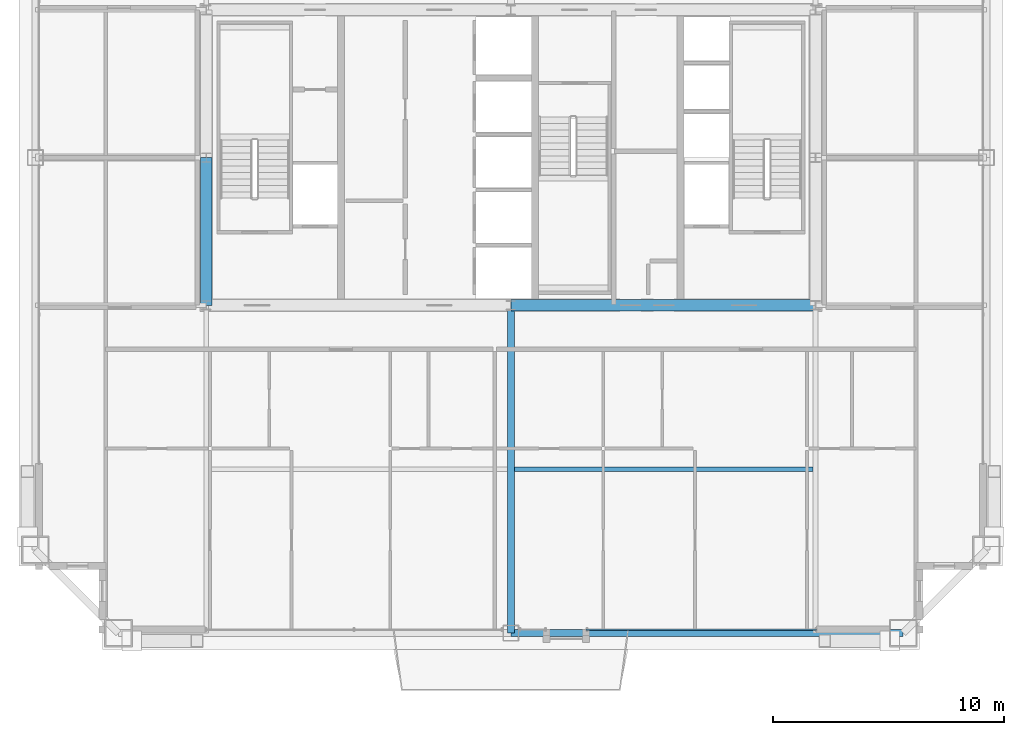
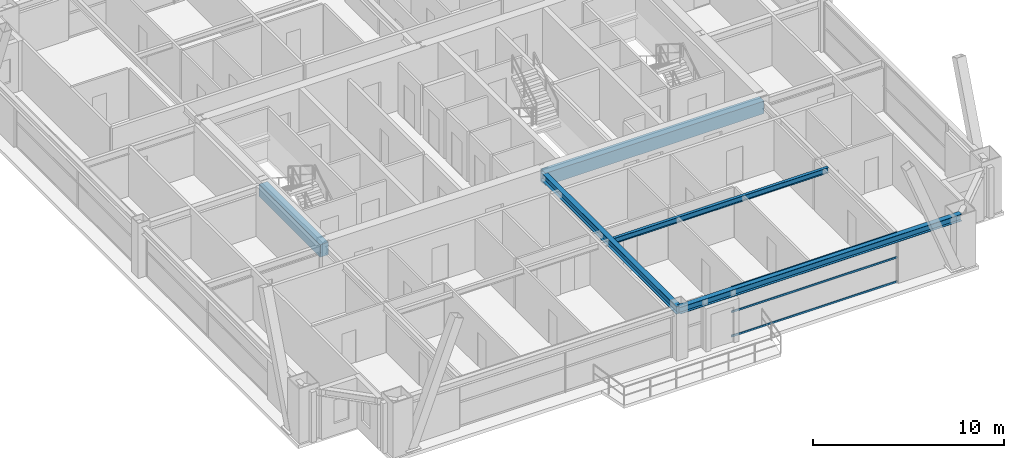
# One storey, part 11 of 36: 5 beams, 3 members, 1 element without a shape of its own.
"""IFC4 building model written with IfcOpenShell, lengths in metres."""

from ifc_helpers import new_model, si_unit, direction, frame, origin, origin_2d, place, context, subcontext, project, spatial, rectangle, hollow_rectangle, i_section, extrude, source, transform, mapped, material, layer, layer_set, material_profile, profile_set, type_object, element, aggregate, save


model = new_model("IFC4")

# Units and contexts
model_context = context("Model", 3, precision=1e-05, world=origin(), true_north=direction((0.0, 1.0)))
body_context = subcontext(model_context, "Body", "Model", "MODEL_VIEW")
ifc_project = project(units=[si_unit("LENGTHUNIT", "METRE"), si_unit("AREAUNIT", "SQUARE_METRE"), si_unit("VOLUMEUNIT", "CUBIC_METRE"), si_unit("PLANEANGLEUNIT", "RADIAN"), si_unit("MASSUNIT", "GRAM", prefix="KILO"), si_unit("THERMODYNAMICTEMPERATUREUNIT", "KELVIN"), si_unit("POWERUNIT", "WATT")], contexts=[model_context])

# Site, building, storey
site_placement = place(None, origin())
site = spatial("IfcSite", under=ifc_project, at=site_placement, CompositionType="ELEMENT")
building_placement = place(site_placement, origin())
building = spatial("IfcBuilding", under=site, at=building_placement, Name="Yuzanri Waterfront Tower", CompositionType="ELEMENT")
storey_placement = place(building_placement, frame((0.0, 0.0, 255.60009765625)))
storey = spatial("IfcBuildingStorey", under=building, at=storey_placement, Name="L68", CompositionType="ELEMENT", Elevation=255.60009765625)

# Beams
ifc_material_1 = material(Name="Concrete C50", Category="concrete")
ifc_material_profile_1 = material_profile(ifc_material_1, rectangle(XDim=0.5, YDim=0.800048828125, at=origin_2d()), Name="RC 500x800")
ifc_profile_set_1 = profile_set([ifc_material_profile_1], Name="Concrete C50")
beam_type_1 = type_object("IfcBeamType", Name="Core Coupling Lintel Concrete C50 500x800", PredefinedType="LINTEL", material=ifc_profile_set_1)
shared_shape_1 = source(origin(), body_context, "Body", "SweptSolid", [
    extrude(rectangle(XDim=0.5, YDim=0.800048828125, at=origin_2d()), origin(), (0.0, 0.0, 1.0), 13.199951171875),
])
beam_1_placement = place(storey_placement, frame((37.0, 19.39990234375, 2.7998046875), z_axis=(1.0, 0.0, 0.0), x_axis=(0.0, 1.0, 0.0)))
element("IfcBeam", 1, at=beam_1_placement, inside=storey, type_object=beam_type_1, Name="L68 Core Tie Beam CS2", PredefinedType="LINTEL", context=body_context, shape_type="MappedRepresentation", body=[
    mapped(shared_shape_1, transform((0.0, 0.0, 0.0), scale=1.0)),
])
shared_shape_2 = source(origin(), body_context, "Body", "SweptSolid", [
    extrude(rectangle(XDim=0.5, YDim=0.800048828125, at=origin_2d()), origin(), (0.0, 0.0, 1.0), 6.400146484375),
])
beam_2_placement = place(storey_placement, frame((23.800048828125, 19.39990234375, 2.7998046875), z_axis=(0.0, 1.0, 0.0), x_axis=(-1.0, 0.0, 0.0)))
element("IfcBeam", 2, at=beam_2_placement, inside=storey, type_object=beam_type_1, Name="L68 Core Tie Beam CW1", PredefinedType="LINTEL", context=body_context, shape_type="MappedRepresentation", body=[
    mapped(shared_shape_2, transform((0.0, 0.0, 0.0), scale=1.0)),
])
ifc_material_2 = material(Name="Steel Q355B", Category="steel")
ifc_material_profile_2 = material_profile(ifc_material_2, i_section(OverallWidth=0.300048828125, OverallDepth=0.43994140625, WebThickness=0.010986328125, FlangeThickness=0.01806640625, at=origin_2d()), Name="HM 440x300x11x18")
ifc_profile_set_2 = profile_set([ifc_material_profile_2], Name="Steel Q355B")
beam_type_2 = type_object("IfcBeamType", Name="Perimeter Spandrel Q355B HM 440x300", PredefinedType="SPANDREL", material=ifc_profile_set_2)
shared_shape_3 = source(origin(), body_context, "Body", "SweptSolid", [
    extrude(i_section(OverallWidth=0.300048828125, OverallDepth=0.43994140625, WebThickness=0.010986328125, FlangeThickness=0.01806640625, at=origin_2d()), origin(), (0.0, 0.0, 1.0), 17.0),
])
beam_3_placement = place(storey_placement, frame((37.0, 5.199951171875, 2.97998046875), z_axis=(1.0, 0.0, 0.0), x_axis=(0.0, 1.0, 0.0)))
element("IfcBeam", 3, at=beam_3_placement, inside=storey, type_object=beam_type_2, Name="L68 Perimeter Spandrel S2-S3", PredefinedType="SPANDREL", context=body_context, shape_type="MappedRepresentation", body=[
    mapped(shared_shape_3, transform((0.0, 0.0, 0.0), scale=1.0)),
])
ifc_material_3 = material(Name="Steel Q355B", Category="steel")
ifc_material_profile_3 = material_profile(ifc_material_3, i_section(OverallWidth=0.300048828125, OverallDepth=0.488037109375, WebThickness=0.010986328125, FlangeThickness=0.01806640625, at=origin_2d()), Name="HM 488x300x11x18")
ifc_profile_set_3 = profile_set([ifc_material_profile_3], Name="Steel Q355B")
beam_type_3 = type_object("IfcBeamType", Name="Primary Floor Girder Q355B HM 488x300", PredefinedType="BEAM", material=ifc_profile_set_3)
shared_shape_4 = source(origin(), body_context, "Body", "SweptSolid", [
    extrude(i_section(OverallWidth=0.300048828125, OverallDepth=0.488037109375, WebThickness=0.010986328125, FlangeThickness=0.01806640625, at=origin_2d()), origin(), (0.0, 0.0, 1.0), 14.199951171875),
])
beam_4_placement = place(storey_placement, frame((37.0, 19.39990234375, 2.955810546875), z_axis=(0.0, -1.0, 0.0), x_axis=(1.0, 0.0, 0.0)))
element("IfcBeam", 4, at=beam_4_placement, inside=storey, type_object=beam_type_3, Name="L68 South Grid Girder", PredefinedType="BEAM", context=body_context, shape_type="MappedRepresentation", body=[
    mapped(shared_shape_4, transform((0.0, 0.0, 0.0), scale=1.0)),
])
ifc_material_4 = material(Name="Steel Q355B", Category="steel")
ifc_material_profile_4 = material_profile(ifc_material_4, i_section(OverallWidth=0.175048828125, OverallDepth=0.35009765625, WebThickness=0.007080078125, FlangeThickness=0.010986328125, at=origin_2d()), Name="HN 350x175x7x11")
ifc_profile_set_4 = profile_set([ifc_material_profile_4], Name="Steel Q355B")
beam_type_4 = type_object("IfcBeamType", Name="Floor Joist Q355B HN 350x175", PredefinedType="JOIST", material=ifc_profile_set_4)
shared_shape_5 = source(origin(), body_context, "Body", "SweptSolid", [
    extrude(i_section(OverallWidth=0.175048828125, OverallDepth=0.35009765625, WebThickness=0.007080078125, FlangeThickness=0.010986328125, at=origin_2d()), origin(), (0.0, 0.0, 1.0), 12.9501953125),
])
beam_5_placement = place(storey_placement, frame((37.14990234375, 12.300048828125, 3.02490234375), z_axis=(1.0, 0.0, 0.0), x_axis=(0.0, 1.0, 0.0)))
element("IfcBeam", 5, at=beam_5_placement, inside=storey, type_object=beam_type_4, Name="L68 South Bay Joist E", PredefinedType="JOIST", context=body_context, shape_type="MappedRepresentation", body=[
    mapped(shared_shape_5, transform((0.0, 0.0, 0.0), scale=1.0)),
])

# Curtain wall, members
ifc_material_5 = material(Name="Anodized Architectural Bronze", Category="metal")
ifc_layer = layer(ifc_material_5, 0.159912109375)
ifc_layer_set = layer_set([ifc_layer], Name="Anodized Architectural Bronze")
curtain_wall_type = type_object("IfcCurtainWallType", Name="Anodized Bronze Mid-Rise Residential Acoustic Unitized Curtain Wall 7200", PredefinedType="NOTDEFINED", material=ifc_layer_set)
curtain_wall_placement = place(storey_placement, origin())
curtain_wall = element("IfcCurtainWall", 6, at=curtain_wall_placement, inside=storey, type_object=curtain_wall_type, Name="L68 Curtain Wall CW-L68-SR2", PredefinedType="NOTDEFINED")
ifc_material_6 = material(Name="Anodized Architectural Bronze", Category="metal")
ifc_material_profile_5 = material_profile(ifc_material_6, hollow_rectangle(XDim=0.06494140625, YDim=0.1201171875, WallThickness=0.00341796875, at=origin_2d()), Name="CWT 65x120")
ifc_profile_set_5 = profile_set([ifc_material_profile_5], Name="Anodized Architectural Bronze")
member_type = type_object("IfcMemberType", Name="Anodized Bronze Secondary Curtain-Wall Transom 65x120", PredefinedType="USERDEFINED", material=ifc_profile_set_5)
shared_shape_6 = source(origin(), body_context, "Body", "SweptSolid", [
    extrude(hollow_rectangle(XDim=0.06494140625, YDim=0.1201171875, WallThickness=0.00341796875, at=origin_2d()), origin(), (0.0, 0.0, 1.0), 10.0),
])
member_1_placement = place(storey_placement, frame((40.25, 5.35009765625, 0.0498046875), z_axis=(1.0, 0.0, 0.0), x_axis=(0.0, 1.0, 0.0)))
member_1 = element("IfcMember", 7, at=member_1_placement, type_object=member_type, Name="CW-L68-SR2 Transom 1", ObjectType="TRANSOM", PredefinedType="USERDEFINED", context=body_context, shape_type="MappedRepresentation", body=[
    mapped(shared_shape_6, transform((0.0, 0.0, 0.0), scale=1.0)),
])
member_2_placement = place(storey_placement, frame((40.25, 5.35009765625, 1.599853515625), z_axis=(1.0, 0.0, 0.0), x_axis=(0.0, 1.0, 0.0)))
member_2 = element("IfcMember", 8, at=member_2_placement, type_object=member_type, Name="CW-L68-SR2 Transom 2", ObjectType="TRANSOM", PredefinedType="USERDEFINED", context=body_context, shape_type="MappedRepresentation", body=[
    mapped(shared_shape_6, transform((0.0, 0.0, 0.0), scale=1.0)),
])
member_3_placement = place(storey_placement, frame((40.25, 5.35009765625, 3.14990234375), z_axis=(1.0, 0.0, 0.0), x_axis=(0.0, 1.0, 0.0)))
member_3 = element("IfcMember", 9, at=member_3_placement, type_object=member_type, Name="CW-L68-SR2 Transom 3", ObjectType="TRANSOM", PredefinedType="USERDEFINED", context=body_context, shape_type="MappedRepresentation", body=[
    mapped(shared_shape_6, transform((0.0, 0.0, 0.0), scale=1.0)),
])
aggregate(curtain_wall, [member_1, member_2, member_3])

save(model, "model.ifc")
